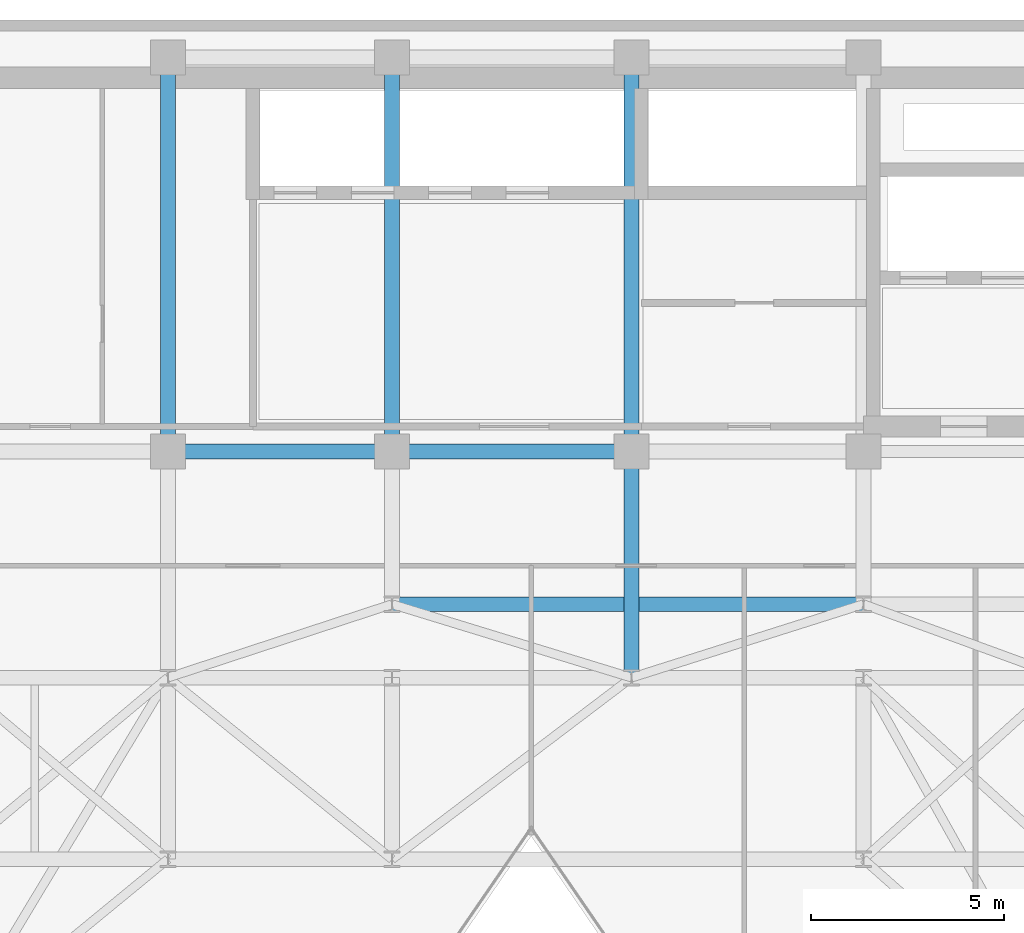
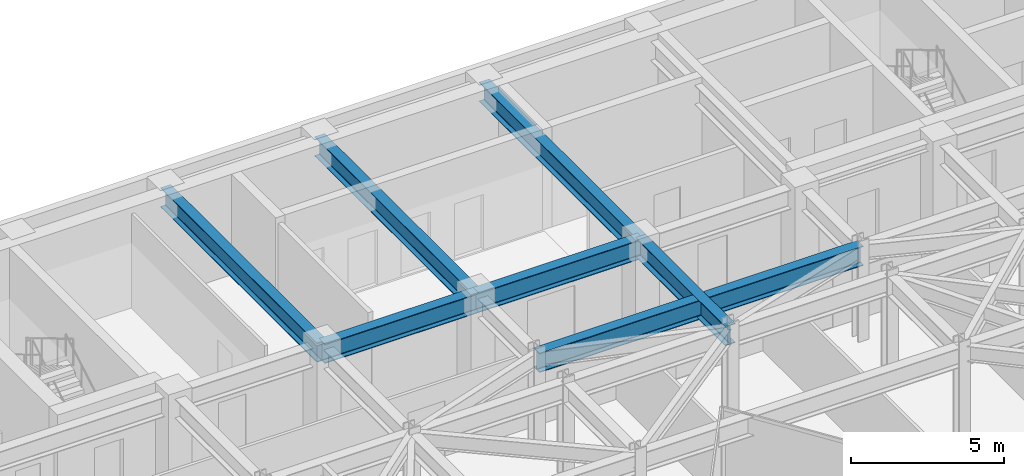
# One storey, part 15 of 26: 7 beams.
"""IFC4 building model written with IfcOpenShell, lengths in metres."""

from ifc_helpers import new_model, si_unit, direction, frame, origin, origin_2d, place, context, subcontext, project, spatial, i_section, extrude, material, material_profile, profile_set, type_object, element, save


model = new_model("IFC4")

# Units and contexts
model_context = context("Model", 3, precision=1e-05, world=origin(), true_north=direction((0.0, 1.0)))
body_context = subcontext(model_context, "Body", "Model", "MODEL_VIEW")
ifc_project = project(units=[si_unit("LENGTHUNIT", "METRE"), si_unit("AREAUNIT", "SQUARE_METRE"), si_unit("VOLUMEUNIT", "CUBIC_METRE"), si_unit("PLANEANGLEUNIT", "RADIAN"), si_unit("MASSUNIT", "GRAM", prefix="KILO")], contexts=[model_context])

# Site, building, storey
site_placement = place(None, origin())
site = spatial("IfcSite", under=ifc_project, at=site_placement, CompositionType="ELEMENT")
building_placement = place(site_placement, origin())
building = spatial("IfcBuilding", under=site, at=building_placement, Name="Kravanh Interchange Tower", CompositionType="ELEMENT")
storey_placement = place(building_placement, frame((0.0, 0.0, 172.5)))
storey = spatial("IfcBuildingStorey", under=building, at=storey_placement, Name="L41", CompositionType="ELEMENT", Elevation=172.5)

# Beams
ifc_material = material(Name="Structural Steel S355", Category="steel")
ifc_material_profile = material_profile(ifc_material, i_section(OverallWidth=0.381103515625, OverallDepth=0.77294921875, WebThickness=0.0166015625, FlangeThickness=0.027099609375, FilletRadius=0.02490234375, at=origin_2d()), Name="W30X173")
ifc_profile_set = profile_set([ifc_material_profile], Name="Structural Steel S355")
beam_type = type_object("IfcBeamType", Name="Floor Beam W30X173 Structural Steel S355", PredefinedType="BEAM", material=ifc_profile_set)
beam_1_placement = place(storey_placement, frame((44.800048828125, 37.35009765625, 3.368408203125), z_axis=(0.0, -1.0, 0.0), x_axis=(1.0, 0.0, 0.0)))
element("IfcBeam", 1, at=beam_1_placement, inside=storey, type_object=beam_type, Name="L41 Primary Floor Girder 12", PredefinedType="BEAM", context=body_context, shape_type="SweptSolid", body=[
    extrude(i_section(OverallWidth=0.381103515625, OverallDepth=0.77294921875, WebThickness=0.0166015625, FlangeThickness=0.027099609375, FilletRadius=0.02490234375, at=origin_2d()), origin(), (0.0, 0.0, 1.0), 5.85009765625),
])
beam_2_placement = place(storey_placement, frame((44.800048828125, 37.35009765625, 3.368408203125), z_axis=(-1.0, 0.0, 0.0), x_axis=(0.0, -1.0, 0.0)))
element("IfcBeam", 2, at=beam_2_placement, inside=storey, type_object=beam_type, Name="L41 Primary Floor Girder 13", PredefinedType="BEAM", context=body_context, shape_type="SweptSolid", body=[
    extrude(i_section(OverallWidth=0.381103515625, OverallDepth=0.77294921875, WebThickness=0.0166015625, FlangeThickness=0.027099609375, FilletRadius=0.02490234375, at=origin_2d()), origin(), (0.0, 0.0, 1.0), 6.199951171875),
])
beam_3_placement = place(storey_placement, frame((44.800048828125, 37.35009765625, 3.368408203125), z_axis=(0.0, 1.0, 0.0), x_axis=(-1.0, 0.0, 0.0)))
element("IfcBeam", 3, at=beam_3_placement, inside=storey, type_object=beam_type, Name="L41 Primary Floor Girder 14", PredefinedType="BEAM", context=body_context, shape_type="SweptSolid", body=[
    extrude(i_section(OverallWidth=0.381103515625, OverallDepth=0.77294921875, WebThickness=0.0166015625, FlangeThickness=0.027099609375, FilletRadius=0.02490234375, at=origin_2d()), origin(), (0.0, 0.0, 1.0), 10.199951171875),
])
beam_4_placement = place(storey_placement, frame((38.60009765625, 37.35009765625, 3.368408203125), z_axis=(-1.0, 0.0, 0.0), x_axis=(0.0, -1.0, 0.0)))
element("IfcBeam", 4, at=beam_4_placement, inside=storey, type_object=beam_type, Name="L41 Primary Floor Girder 17", PredefinedType="BEAM", context=body_context, shape_type="SweptSolid", body=[
    extrude(i_section(OverallWidth=0.381103515625, OverallDepth=0.77294921875, WebThickness=0.0166015625, FlangeThickness=0.027099609375, FilletRadius=0.02490234375, at=origin_2d()), origin(), (0.0, 0.0, 1.0), 5.800048828125),
])
for number, where, z_axis, x_axis, name in (
    (5, (38.60009765625, 37.35009765625, 3.368408203125), (0.0, 1.0, 0.0), (-1.0, 0.0, 0.0), "L41 Primary Floor Girder 18"),
    (6, (32.800048828125, 37.35009765625, 3.368408203125), (0.0, 1.0, 0.0), (-1.0, 0.0, 0.0), "L41 Primary Floor Girder 22"),
):
    element("IfcBeam", number, at=place(storey_placement, frame(where, z_axis=z_axis, x_axis=x_axis)), inside=storey, type_object=beam_type, Name=name, PredefinedType="BEAM", context=body_context, shape_type="SweptSolid", body=[
        extrude(i_section(OverallWidth=0.381103515625, OverallDepth=0.77294921875, WebThickness=0.0166015625, FlangeThickness=0.027099609375, FilletRadius=0.02490234375, at=origin_2d()), origin(), (0.0, 0.0, 1.0), 10.199951171875),
    ])
beam_5_placement = place(storey_placement, frame((38.60009765625, 33.39990234375, 3.368408203125), z_axis=(1.0, 0.0, 0.0), x_axis=(0.0, 1.0, 0.0)))
element("IfcBeam", 7, at=beam_5_placement, inside=storey, type_object=beam_type, Name="L41 Primary Floor Girder 94", PredefinedType="BEAM", context=body_context, shape_type="SweptSolid", body=[
    extrude(i_section(OverallWidth=0.381103515625, OverallDepth=0.77294921875, WebThickness=0.0166015625, FlangeThickness=0.027099609375, FilletRadius=0.02490234375, at=origin_2d()), origin(), (0.0, 0.0, 1.0), 12.199951171875),
])

save(model, "model.ifc")
